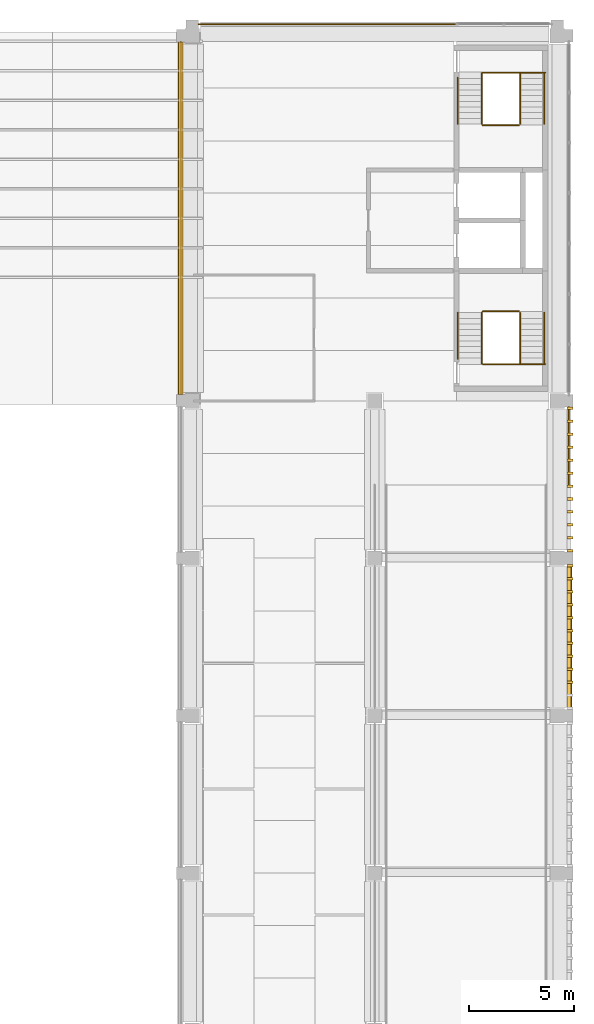
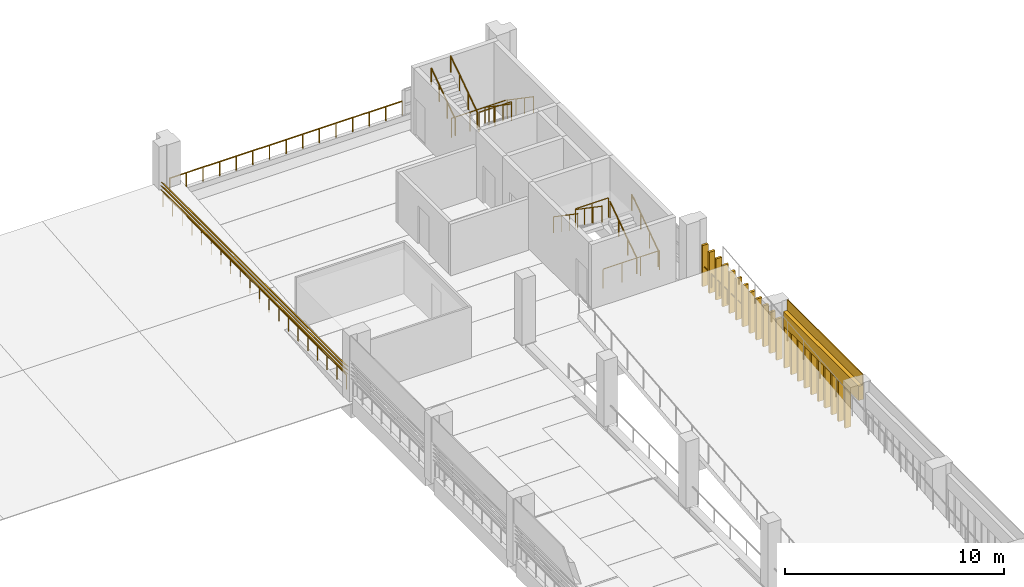
# One storey, part 22 of 24: 23 coverings, 15 railings, 3 shading devices.
"""IFC4 building model written with IfcOpenShell, lengths in metres."""

from ifc_helpers import new_model, si_unit, direction, frame, origin, origin_2d, place, context, subcontext, project, spatial, polyline, circle, outline, extrude, material, layer, layer_set, type_object, element, save


model = new_model("IFC4")

# Units and contexts
model_context = context("Model", 3, precision=1e-05, world=origin(), true_north=direction((0.0, 1.0)))
body_context = subcontext(model_context, "Body", "Model", "MODEL_VIEW")
ifc_project = project(units=[si_unit("LENGTHUNIT", "METRE"), si_unit("AREAUNIT", "SQUARE_METRE"), si_unit("VOLUMEUNIT", "CUBIC_METRE"), si_unit("PLANEANGLEUNIT", "RADIAN"), si_unit("MASSUNIT", "GRAM", prefix="KILO")], contexts=[model_context])

# Site, building, storey
site_placement = place(None, origin())
site = spatial("IfcSite", under=ifc_project, at=site_placement, CompositionType="ELEMENT")
building_placement = place(site_placement, origin())
building = spatial("IfcBuilding", under=site, at=building_placement, Name="Cour d'Honneur Mobility Palace", CompositionType="ELEMENT")
storey_placement = place(building_placement, frame((0.0, 0.0, 26.699951171875)))
storey = spatial("IfcBuildingStorey", under=building, at=storey_placement, Name="L07", CompositionType="ELEMENT", Elevation=26.699951171875)

# Railings
ifc_material_1 = material(Name="Painted steel", Category="steel")
railing_type_1 = type_object("IfcRailingType", Name="Balustrade", PredefinedType="BALUSTRADE", material=ifc_material_1)
railing_1_placement = place(storey_placement, frame((162.85009765625, 41.0, 0.300048828125)))
element("IfcRailing", 1, at=railing_1_placement, inside=storey, type_object=railing_type_1, Name="Balustrade BAL-379", PredefinedType="BALUSTRADE", context=body_context, shape_type="SweptSolid", body=[
    extrude(circle(Radius=0.02392578125, at=origin_2d()), frame((0.0, 0.0, 0.77587890625), z_axis=(0.0, 1.0, 0.0), x_axis=(-1.0, 0.0, 0.0)), (0.0, 0.0, 1.0), 3.699951171875),
    extrude(circle(Radius=0.02099609375, at=origin_2d()), origin(), (0.0, 0.0, 1.0), 0.751953125),
    extrude(circle(Radius=0.02099609375, at=origin_2d()), frame((0.0, 0.739990234375, 0.0)), (0.0, 0.0, 1.0), 0.751953125),
    extrude(circle(Radius=0.02099609375, at=origin_2d()), frame((0.0, 1.47998046875, 0.0)), (0.0, 0.0, 1.0), 0.751953125),
    extrude(circle(Radius=0.02099609375, at=origin_2d()), frame((0.0, 2.219970703125, 0.0)), (0.0, 0.0, 1.0), 0.751953125),
    extrude(circle(Radius=0.02099609375, at=origin_2d()), frame((0.0, 2.9599609375, 0.0)), (0.0, 0.0, 1.0), 0.751953125),
    extrude(circle(Radius=0.02099609375, at=origin_2d()), frame((0.0, 3.699951171875, 0.0)), (0.0, 0.0, 1.0), 0.751953125),
])
railing_2_placement = place(storey_placement, frame((157.5, 62.949951171875, 0.300048828125)))
element("IfcRailing", 2, at=railing_2_placement, inside=storey, type_object=railing_type_1, Name="Balustrade BAL-380", PredefinedType="BALUSTRADE", context=body_context, shape_type="SweptSolid", body=[
    extrude(circle(Radius=0.02392578125, at=origin_2d()), frame((0.0, 0.0, 0.77587890625), z_axis=(-1.0, 0.0, 0.0), x_axis=(0.0, -1.0, 0.0)), (0.0, 0.0, 1.0), 12.300048828125),
    extrude(circle(Radius=0.02099609375, at=origin_2d()), origin(), (0.0, 0.0, 1.0), 0.751953125),
    extrude(circle(Radius=0.02099609375, at=origin_2d()), frame((-0.878662109375, 0.0, 0.0)), (0.0, 0.0, 1.0), 0.751953125),
    extrude(circle(Radius=0.02099609375, at=origin_2d()), frame((-1.757080078125, 0.0, 0.0)), (0.0, 0.0, 1.0), 0.751953125),
    extrude(circle(Radius=0.02099609375, at=origin_2d()), frame((-2.6357421875, 0.0, 0.0)), (0.0, 0.0, 1.0), 0.751953125),
    extrude(circle(Radius=0.02099609375, at=origin_2d()), frame((-3.514404296875, 0.0, 0.0)), (0.0, 0.0, 1.0), 0.751953125),
    extrude(circle(Radius=0.02099609375, at=origin_2d()), frame((-4.392822265625, 0.0, 0.0)), (0.0, 0.0, 1.0), 0.751953125),
    extrude(circle(Radius=0.02099609375, at=origin_2d()), frame((-5.271484375, 0.0, 0.0)), (0.0, 0.0, 1.0), 0.751953125),
    extrude(circle(Radius=0.02099609375, at=origin_2d()), frame((-6.14990234375, 0.0, 0.0)), (0.0, 0.0, 1.0), 0.751953125),
    extrude(circle(Radius=0.02099609375, at=origin_2d()), frame((-7.028564453125, 0.0, 0.0)), (0.0, 0.0, 1.0), 0.751953125),
    extrude(circle(Radius=0.02099609375, at=origin_2d()), frame((-7.9072265625, 0.0, 0.0)), (0.0, 0.0, 1.0), 0.751953125),
    extrude(circle(Radius=0.02099609375, at=origin_2d()), frame((-8.78564453125, 0.0, 0.0)), (0.0, 0.0, 1.0), 0.751953125),
    extrude(circle(Radius=0.02099609375, at=origin_2d()), frame((-9.664306640625, 0.0, 0.0)), (0.0, 0.0, 1.0), 0.751953125),
    extrude(circle(Radius=0.02099609375, at=origin_2d()), frame((-10.54296875, 0.0, 0.0)), (0.0, 0.0, 1.0), 0.751953125),
    extrude(circle(Radius=0.02099609375, at=origin_2d()), frame((-11.42138671875, 0.0, 0.0)), (0.0, 0.0, 1.0), 0.751953125),
    extrude(circle(Radius=0.02099609375, at=origin_2d()), frame((-12.300048828125, 0.0, 0.0)), (0.0, 0.0, 1.0), 0.751953125),
])
railing_3_placement = place(storey_placement, frame((144.35009765625, 62.10009765625, 0.300048828125)))
element("IfcRailing", 3, at=railing_3_placement, inside=storey, type_object=railing_type_1, Name="Balustrade BAL-381", PredefinedType="BALUSTRADE", context=body_context, shape_type="SweptSolid", body=[
    extrude(circle(Radius=0.02392578125, at=origin_2d()), frame((0.0, 0.0, 0.77587890625), z_axis=(0.0, -1.0, 0.0), x_axis=(1.0, 0.0, 0.0)), (0.0, 0.0, 1.0), 16.800048828125),
    extrude(circle(Radius=0.02099609375, at=origin_2d()), origin(), (0.0, 0.0, 1.0), 0.751953125),
    extrude(circle(Radius=0.02099609375, at=origin_2d()), frame((0.0, -0.88427734375, 0.0)), (0.0, 0.0, 1.0), 0.751953125),
    extrude(circle(Radius=0.02099609375, at=origin_2d()), frame((0.0, -1.768310546875, 0.0)), (0.0, 0.0, 1.0), 0.751953125),
    extrude(circle(Radius=0.02099609375, at=origin_2d()), frame((0.0, -2.652587890625, 0.0)), (0.0, 0.0, 1.0), 0.751953125),
    extrude(circle(Radius=0.02099609375, at=origin_2d()), frame((0.0, -3.536865234375, 0.0)), (0.0, 0.0, 1.0), 0.751953125),
    extrude(circle(Radius=0.02099609375, at=origin_2d()), frame((0.0, -4.421142578125, 0.0)), (0.0, 0.0, 1.0), 0.751953125),
    extrude(circle(Radius=0.02099609375, at=origin_2d()), frame((0.0, -5.30517578125, 0.0)), (0.0, 0.0, 1.0), 0.751953125),
    extrude(circle(Radius=0.02099609375, at=origin_2d()), frame((0.0, -6.189453125, 0.0)), (0.0, 0.0, 1.0), 0.751953125),
    extrude(circle(Radius=0.02099609375, at=origin_2d()), frame((0.0, -7.07373046875, 0.0)), (0.0, 0.0, 1.0), 0.751953125),
    extrude(circle(Radius=0.02099609375, at=origin_2d()), frame((0.0, -7.9580078125, 0.0)), (0.0, 0.0, 1.0), 0.751953125),
    extrude(circle(Radius=0.02099609375, at=origin_2d()), frame((0.0, -8.842041015625, 0.0)), (0.0, 0.0, 1.0), 0.751953125),
    extrude(circle(Radius=0.02099609375, at=origin_2d()), frame((0.0, -9.726318359375, 0.0)), (0.0, 0.0, 1.0), 0.751953125),
    extrude(circle(Radius=0.02099609375, at=origin_2d()), frame((0.0, -10.610595703125, 0.0)), (0.0, 0.0, 1.0), 0.751953125),
    extrude(circle(Radius=0.02099609375, at=origin_2d()), frame((0.0, -11.494873046875, 0.0)), (0.0, 0.0, 1.0), 0.751953125),
    extrude(circle(Radius=0.02099609375, at=origin_2d()), frame((0.0, -12.37890625, 0.0)), (0.0, 0.0, 1.0), 0.751953125),
    extrude(circle(Radius=0.02099609375, at=origin_2d()), frame((0.0, -13.26318359375, 0.0)), (0.0, 0.0, 1.0), 0.751953125),
    extrude(circle(Radius=0.02099609375, at=origin_2d()), frame((0.0, -14.1474609375, 0.0)), (0.0, 0.0, 1.0), 0.751953125),
    extrude(circle(Radius=0.02099609375, at=origin_2d()), frame((0.0, -15.03173828125, 0.0)), (0.0, 0.0, 1.0), 0.751953125),
    extrude(circle(Radius=0.02099609375, at=origin_2d()), frame((0.0, -15.915771484375, 0.0)), (0.0, 0.0, 1.0), 0.751953125),
    extrude(circle(Radius=0.02099609375, at=origin_2d()), frame((0.0, -16.800048828125, 0.0)), (0.0, 0.0, 1.0), 0.751953125),
])
ifc_material_2 = material(Name="Painted steel", Category="steel")
railing_type_2 = type_object("IfcRailingType", Name="Guardrail 1100", PredefinedType="GUARDRAIL", material=ifc_material_2)
railing_4_placement = place(storey_placement, frame((158.75, 46.7548828125, 0.0)))
element("IfcRailing", 4, at=railing_4_placement, inside=storey, type_object=railing_type_2, Name="Guard ST-CE1", PredefinedType="GUARDRAIL", context=body_context, shape_type="SweptSolid", body=[
    extrude(circle(Radius=0.02490234375, at=origin_2d()), frame((0.0, 0.0, 1.0751953125), z_axis=(1.0, 0.0, 0.0), x_axis=(0.0, 1.0, 0.0)), (0.0, 0.0, 1.0), 2.97509765625),
    extrude(circle(Radius=0.02099609375, at=origin_2d()), origin(), (0.0, 0.0, 1.0), 1.050048828125),
    extrude(circle(Radius=0.02099609375, at=origin_2d()), frame((0.99169921875, 0.0, 0.0)), (0.0, 0.0, 1.0), 1.050048828125),
    extrude(circle(Radius=0.02099609375, at=origin_2d()), frame((1.9833984375, 0.0, 0.0)), (0.0, 0.0, 1.0), 1.050048828125),
    extrude(circle(Radius=0.02099609375, at=origin_2d()), frame((2.97509765625, 0.0, 0.0)), (0.0, 0.0, 1.0), 1.050048828125),
])
railing_5_placement = place(storey_placement, frame((158.75, 49.264892578125, 1.85009765625)))
element("IfcRailing", 5, at=railing_5_placement, inside=storey, type_object=railing_type_2, Name="Landing guard ST-CE1", PredefinedType="GUARDRAIL", context=body_context, shape_type="SweptSolid", body=[
    extrude(circle(Radius=0.02490234375, at=origin_2d()), frame((0.0, 0.0, 1.0751953125), z_axis=(1.0, 0.0, 0.0), x_axis=(0.0, 1.0, 0.0)), (0.0, 0.0, 1.0), 1.72509765625),
    extrude(circle(Radius=0.02099609375, at=origin_2d()), origin(), (0.0, 0.0, 1.0), 1.050048828125),
    extrude(circle(Radius=0.02099609375, at=origin_2d()), frame((0.862548828125, 0.0, 0.0)), (0.0, 0.0, 1.0), 1.050048828125),
    extrude(circle(Radius=0.02099609375, at=origin_2d()), frame((1.72509765625, 0.0, 0.0)), (0.0, 0.0, 1.0), 1.050048828125),
])
railing_6_placement = place(storey_placement, frame((158.75, 60.64501953125, 0.0)))
element("IfcRailing", 6, at=railing_6_placement, inside=storey, type_object=railing_type_2, Name="Guard ST-CE2", PredefinedType="GUARDRAIL", context=body_context, shape_type="SweptSolid", body=[
    extrude(circle(Radius=0.02490234375, at=origin_2d()), frame((0.0, 0.0, 1.0751953125), z_axis=(1.0, 0.0, 0.0), x_axis=(0.0, 1.0, 0.0)), (0.0, 0.0, 1.0), 2.97509765625),
    extrude(circle(Radius=0.02099609375, at=origin_2d()), origin(), (0.0, 0.0, 1.0), 1.050048828125),
    extrude(circle(Radius=0.02099609375, at=origin_2d()), frame((0.99169921875, 0.0, 0.0)), (0.0, 0.0, 1.0), 1.050048828125),
    extrude(circle(Radius=0.02099609375, at=origin_2d()), frame((1.9833984375, 0.0, 0.0)), (0.0, 0.0, 1.0), 1.050048828125),
    extrude(circle(Radius=0.02099609375, at=origin_2d()), frame((2.97509765625, 0.0, 0.0)), (0.0, 0.0, 1.0), 1.050048828125),
])
railing_7_placement = place(storey_placement, frame((158.75, 58.135009765625, 1.85009765625)))
element("IfcRailing", 7, at=railing_7_placement, inside=storey, type_object=railing_type_2, Name="Landing guard ST-CE2", PredefinedType="GUARDRAIL", context=body_context, shape_type="SweptSolid", body=[
    extrude(circle(Radius=0.02490234375, at=origin_2d()), frame((0.0, 0.0, 1.0751953125), z_axis=(1.0, 0.0, 0.0), x_axis=(0.0, 1.0, 0.0)), (0.0, 0.0, 1.0), 1.72509765625),
    extrude(circle(Radius=0.02099609375, at=origin_2d()), origin(), (0.0, 0.0, 1.0), 1.050048828125),
    extrude(circle(Radius=0.02099609375, at=origin_2d()), frame((0.862548828125, 0.0, 0.0)), (0.0, 0.0, 1.0), 1.050048828125),
    extrude(circle(Radius=0.02099609375, at=origin_2d()), frame((1.72509765625, 0.0, 0.0)), (0.0, 0.0, 1.0), 1.050048828125),
])
ifc_material_3 = material(Name="Stainless steel", Category="steel")
railing_type_3 = type_object("IfcRailingType", Name="Handrail round 50", PredefinedType="HANDRAIL", material=ifc_material_3)
for number, where, name in (
    (8, (161.675048828125, 46.77490234375, 0.18505859375), "Handrail ST-CE1"),
    (9, (160.52490234375, 46.77490234375, 0.18505859375), "Handrail ST-CE1"),
):
    element("IfcRailing", number, at=place(storey_placement, frame(where)), inside=storey, type_object=railing_type_3, Name=name, PredefinedType="HANDRAIL", context=body_context, shape_type="SweptSolid", body=[
        extrude(circle(Radius=0.02490234375, at=origin_2d()), frame((0.0, 0.0, 0.89501953125), z_axis=(0.0, 0.824945253146, 0.565212640793), x_axis=(-1.0, 0.0, 0.0)), (0.0, 0.0, 1.0), 2.94580078125),
        extrude(circle(Radius=0.02099609375, at=origin_2d()), origin(), (0.0, 0.0, 1.0), 0.869873046875),
        extrude(circle(Radius=0.02099609375, at=origin_2d()), frame((0.0, 0.81005859375, 0.554931640625)), (0.0, 0.0, 1.0), 0.869873046875),
        extrude(circle(Radius=0.02099609375, at=origin_2d()), frame((0.0, 1.6201171875, 1.110107421875)), (0.0, 0.0, 1.0), 0.869873046875),
        extrude(circle(Radius=0.02099609375, at=origin_2d()), frame((0.0, 2.43017578125, 1.6650390625)), (0.0, 0.0, 1.0), 0.869873046875),
    ])
railing_8_placement = place(storey_placement, frame((158.699951171875, 49.205078125, 2.03515625)))
element("IfcRailing", 10, at=railing_8_placement, inside=storey, type_object=railing_type_3, Name="Handrail ST-CE1", PredefinedType="HANDRAIL", context=body_context, shape_type="SweptSolid", body=[
    extrude(circle(Radius=0.02490234375, at=origin_2d()), frame((0.0, 0.0, 0.89501953125), z_axis=(0.0, -0.824983895463, 0.565156237006), x_axis=(1.0, 0.0, 0.0)), (0.0, 0.0, 1.0), 2.94580078125),
    extrude(circle(Radius=0.02099609375, at=origin_2d()), origin(), (0.0, 0.0, 1.0), 0.869873046875),
    extrude(circle(Radius=0.02099609375, at=origin_2d()), frame((0.0, -0.81005859375, 0.554931640625)), (0.0, 0.0, 1.0), 0.869873046875),
    extrude(circle(Radius=0.02099609375, at=origin_2d()), frame((0.0, -1.6201171875, 1.10986328125)), (0.0, 0.0, 1.0), 0.869873046875),
    extrude(circle(Radius=0.02099609375, at=origin_2d()), frame((0.0, -2.43017578125, 1.664794921875)), (0.0, 0.0, 1.0), 0.869873046875),
])
railing_9_placement = place(storey_placement, frame((157.550048828125, 49.205078125, 2.03515625)))
element("IfcRailing", 11, at=railing_9_placement, inside=storey, type_object=railing_type_3, Name="Handrail ST-CE1", PredefinedType="HANDRAIL", context=body_context, shape_type="SweptSolid", body=[
    extrude(circle(Radius=0.02490234375, at=origin_2d()), frame((0.0, 0.0, 0.89501953125), z_axis=(0.0, -0.824957609129, 0.565194606432), x_axis=(1.0, 0.0, 0.0)), (0.0, 0.0, 1.0), 2.6728515625),
    extrude(circle(Radius=0.02099609375, at=origin_2d()), origin(), (0.0, 0.0, 1.0), 0.869873046875),
    extrude(circle(Radius=0.02099609375, at=origin_2d()), frame((0.0, -0.735107421875, 0.503662109375)), (0.0, 0.0, 1.0), 0.869873046875),
    extrude(circle(Radius=0.02099609375, at=origin_2d()), frame((0.0, -1.469970703125, 1.007080078125)), (0.0, 0.0, 1.0), 0.869873046875),
    extrude(circle(Radius=0.02099609375, at=origin_2d()), frame((0.0, -2.205078125, 1.5107421875)), (0.0, 0.0, 1.0), 0.869873046875),
])
for number, where, name in (
    (12, (161.675048828125, 60.625, 0.18505859375), "Handrail ST-CE2"),
    (13, (160.52490234375, 60.625, 0.18505859375), "Handrail ST-CE2"),
):
    element("IfcRailing", number, at=place(storey_placement, frame(where)), inside=storey, type_object=railing_type_3, Name=name, PredefinedType="HANDRAIL", context=body_context, shape_type="SweptSolid", body=[
        extrude(circle(Radius=0.02490234375, at=origin_2d()), frame((0.0, 0.0, 0.89501953125), z_axis=(0.0, -0.8249187745, 0.56525128525), x_axis=(1.0, 0.0, 0.0)), (0.0, 0.0, 1.0), 2.945556640625),
        extrude(circle(Radius=0.02099609375, at=origin_2d()), origin(), (0.0, 0.0, 1.0), 0.869873046875),
        extrude(circle(Radius=0.02099609375, at=origin_2d()), frame((0.0, -0.81005859375, 0.554931640625)), (0.0, 0.0, 1.0), 0.869873046875),
        extrude(circle(Radius=0.02099609375, at=origin_2d()), frame((0.0, -1.619873046875, 1.110107421875)), (0.0, 0.0, 1.0), 0.869873046875),
        extrude(circle(Radius=0.02099609375, at=origin_2d()), frame((0.0, -2.429931640625, 1.6650390625)), (0.0, 0.0, 1.0), 0.869873046875),
    ])
railing_10_placement = place(storey_placement, frame((158.699951171875, 58.195068359375, 2.03515625)))
element("IfcRailing", 14, at=railing_10_placement, inside=storey, type_object=railing_type_3, Name="Handrail ST-CE2", PredefinedType="HANDRAIL", context=body_context, shape_type="SweptSolid", body=[
    extrude(circle(Radius=0.02490234375, at=origin_2d()), frame((0.0, 0.0, 0.89501953125), z_axis=(0.0, 0.824957420862, 0.565194881227), x_axis=(-1.0, 0.0, 0.0)), (0.0, 0.0, 1.0), 2.945556640625),
    extrude(circle(Radius=0.02099609375, at=origin_2d()), origin(), (0.0, 0.0, 1.0), 0.869873046875),
    extrude(circle(Radius=0.02099609375, at=origin_2d()), frame((0.0, 0.81005859375, 0.554931640625)), (0.0, 0.0, 1.0), 0.869873046875),
    extrude(circle(Radius=0.02099609375, at=origin_2d()), frame((0.0, 1.619873046875, 1.10986328125)), (0.0, 0.0, 1.0), 0.869873046875),
    extrude(circle(Radius=0.02099609375, at=origin_2d()), frame((0.0, 2.429931640625, 1.664794921875)), (0.0, 0.0, 1.0), 0.869873046875),
])
railing_11_placement = place(storey_placement, frame((157.550048828125, 58.195068359375, 2.03515625)))
element("IfcRailing", 15, at=railing_11_placement, inside=storey, type_object=railing_type_3, Name="Handrail ST-CE2", PredefinedType="HANDRAIL", context=body_context, shape_type="SweptSolid", body=[
    extrude(circle(Radius=0.02490234375, at=origin_2d()), frame((0.0, 0.0, 0.89501953125), z_axis=(0.0, 0.824928428624, 0.565237195917), x_axis=(-1.0, 0.0, 0.0)), (0.0, 0.0, 1.0), 2.6728515625),
    extrude(circle(Radius=0.02099609375, at=origin_2d()), origin(), (0.0, 0.0, 1.0), 0.869873046875),
    extrude(circle(Radius=0.02099609375, at=origin_2d()), frame((0.0, 0.73486328125, 0.503662109375)), (0.0, 0.0, 1.0), 0.869873046875),
    extrude(circle(Radius=0.02099609375, at=origin_2d()), frame((0.0, 1.469970703125, 1.007080078125)), (0.0, 0.0, 1.0), 0.869873046875),
    extrude(circle(Radius=0.02099609375, at=origin_2d()), frame((0.0, 2.204833984375, 1.5107421875)), (0.0, 0.0, 1.0), 0.869873046875),
])

# Coverings
ifc_material_4 = material(Name="Cast limestone", Category="masonry")
ifc_layer_1 = layer(ifc_material_4, 0.1201171875)
ifc_layer_set_1 = layer_set([ifc_layer_1], Name="Cast limestone")
covering_type_1 = type_object("IfcCoveringType", Name="Ramp screen fin", PredefinedType="CLADDING", material=ifc_layer_set_1)
covering_1_placement = place(storey_placement, origin())
element("IfcCovering", 16, at=covering_1_placement, inside=storey, type_object=covering_type_1, Name="Ramp screen fin E5.4 L07 3", PredefinedType="CLADDING", context=body_context, shape_type="SweptSolid", body=[
    extrude(outline(polyline([(162.75, 31.53271484375), (162.75, 31.65283203125), (163.050048828125, 31.65283203125), (163.050048828125, 31.53271484375), (162.75, 31.53271484375)])), origin(), (0.0, 0.0, 1.0), 2.300048828125),
])
covering_2_placement = place(storey_placement, origin())
element("IfcCovering", 17, at=covering_2_placement, inside=storey, type_object=covering_type_1, Name="Ramp screen fin E5.4 L07 4", PredefinedType="CLADDING", context=body_context, shape_type="SweptSolid", body=[
    extrude(outline(polyline([(162.75, 32.149169921875), (162.75, 32.26904296875), (163.050048828125, 32.26904296875), (163.050048828125, 32.149169921875), (162.75, 32.149169921875)])), origin(), (0.0, 0.0, 1.0), 2.300048828125),
])
covering_3_placement = place(storey_placement, origin())
element("IfcCovering", 18, at=covering_3_placement, inside=storey, type_object=covering_type_1, Name="Ramp screen fin E5.4 L07 5", PredefinedType="CLADDING", context=body_context, shape_type="SweptSolid", body=[
    extrude(outline(polyline([(162.75, 32.765380859375), (162.75, 32.885498046875), (163.050048828125, 32.885498046875), (163.050048828125, 32.765380859375), (162.75, 32.765380859375)])), origin(), (0.0, 0.0, 1.0), 2.300048828125),
])
covering_4_placement = place(storey_placement, origin())
element("IfcCovering", 19, at=covering_4_placement, inside=storey, type_object=covering_type_1, Name="Ramp screen fin E5.4 L07 6", PredefinedType="CLADDING", context=body_context, shape_type="SweptSolid", body=[
    extrude(outline(polyline([(162.75, 33.3818359375), (162.75, 33.501708984375), (163.050048828125, 33.501708984375), (163.050048828125, 33.3818359375), (162.75, 33.3818359375)])), origin(), (0.0, 0.0, 1.0), 2.300048828125),
])
covering_5_placement = place(storey_placement, origin())
element("IfcCovering", 20, at=covering_5_placement, inside=storey, type_object=covering_type_1, Name="Ramp screen fin E5.4 L07 7", PredefinedType="CLADDING", context=body_context, shape_type="SweptSolid", body=[
    extrude(outline(polyline([(162.75, 33.998291015625), (162.75, 34.1181640625), (163.050048828125, 34.1181640625), (163.050048828125, 33.998291015625), (162.75, 33.998291015625)])), origin(), (0.0, 0.0, 1.0), 2.300048828125),
])
covering_6_placement = place(storey_placement, origin())
element("IfcCovering", 21, at=covering_6_placement, inside=storey, type_object=covering_type_1, Name="Ramp screen fin E5.4 L07 8", PredefinedType="CLADDING", context=body_context, shape_type="SweptSolid", body=[
    extrude(outline(polyline([(162.75, 34.614501953125), (162.75, 34.734619140625), (163.050048828125, 34.734619140625), (163.050048828125, 34.614501953125), (162.75, 34.614501953125)])), origin(), (0.0, 0.0, 1.0), 2.300048828125),
])
covering_7_placement = place(storey_placement, origin())
element("IfcCovering", 22, at=covering_7_placement, inside=storey, type_object=covering_type_1, Name="Ramp screen fin E5.4 L07 9", PredefinedType="CLADDING", context=body_context, shape_type="SweptSolid", body=[
    extrude(outline(polyline([(162.75, 35.23095703125), (162.75, 35.350830078125), (163.050048828125, 35.350830078125), (163.050048828125, 35.23095703125), (162.75, 35.23095703125)])), origin(), (0.0, 0.0, 1.0), 2.300048828125),
])
covering_8_placement = place(storey_placement, origin())
element("IfcCovering", 23, at=covering_8_placement, inside=storey, type_object=covering_type_1, Name="Ramp screen fin E5.4 L07 10", PredefinedType="CLADDING", context=body_context, shape_type="SweptSolid", body=[
    extrude(outline(polyline([(162.75, 35.84716796875), (162.75, 35.96728515625), (163.050048828125, 35.96728515625), (163.050048828125, 35.84716796875), (162.75, 35.84716796875)])), origin(), (0.0, 0.0, 1.0), 2.300048828125),
])
covering_9_placement = place(storey_placement, origin())
element("IfcCovering", 24, at=covering_9_placement, inside=storey, type_object=covering_type_1, Name="Ramp screen fin E5.4 L07 11", PredefinedType="CLADDING", context=body_context, shape_type="SweptSolid", body=[
    extrude(outline(polyline([(162.75, 36.463623046875), (162.75, 36.583740234375), (163.050048828125, 36.583740234375), (163.050048828125, 36.463623046875), (162.75, 36.463623046875)])), origin(), (0.0, 0.0, 1.0), 2.300048828125),
])
covering_10_placement = place(storey_placement, origin())
element("IfcCovering", 25, at=covering_10_placement, inside=storey, type_object=covering_type_1, Name="Ramp screen fin E5.4 L07 12", PredefinedType="CLADDING", context=body_context, shape_type="SweptSolid", body=[
    extrude(outline(polyline([(162.75, 37.080078125), (162.75, 37.199951171875), (163.050048828125, 37.199951171875), (163.050048828125, 37.080078125), (162.75, 37.080078125)])), origin(), (0.0, 0.0, 1.0), 2.300048828125),
])
covering_11_placement = place(storey_placement, origin())
element("IfcCovering", 26, at=covering_11_placement, inside=storey, type_object=covering_type_1, Name="Ramp screen fin E5.5 L07 1", PredefinedType="CLADDING", context=body_context, shape_type="SweptSolid", body=[
    extrude(outline(polyline([(162.75, 37.800048828125), (162.75, 37.919921875), (163.050048828125, 37.919921875), (163.050048828125, 37.800048828125), (162.75, 37.800048828125)])), origin(), (0.0, 0.0, 1.0), 2.300048828125),
])
covering_12_placement = place(storey_placement, origin())
element("IfcCovering", 27, at=covering_12_placement, inside=storey, type_object=covering_type_1, Name="Ramp screen fin E5.5 L07 2", PredefinedType="CLADDING", context=body_context, shape_type="SweptSolid", body=[
    extrude(outline(polyline([(162.75, 38.416259765625), (162.75, 38.536376953125), (163.050048828125, 38.536376953125), (163.050048828125, 38.416259765625), (162.75, 38.416259765625)])), origin(), (0.0, 0.0, 1.0), 2.300048828125),
])
covering_13_placement = place(storey_placement, origin())
element("IfcCovering", 28, at=covering_13_placement, inside=storey, type_object=covering_type_1, Name="Ramp screen fin E5.5 L07 3", PredefinedType="CLADDING", context=body_context, shape_type="SweptSolid", body=[
    extrude(outline(polyline([(162.75, 39.03271484375), (162.75, 39.15283203125), (163.050048828125, 39.15283203125), (163.050048828125, 39.03271484375), (162.75, 39.03271484375)])), origin(), (0.0, 0.0, 1.0), 2.300048828125),
])
covering_14_placement = place(storey_placement, origin())
element("IfcCovering", 29, at=covering_14_placement, inside=storey, type_object=covering_type_1, Name="Ramp screen fin E5.5 L07 4", PredefinedType="CLADDING", context=body_context, shape_type="SweptSolid", body=[
    extrude(outline(polyline([(162.75, 39.649169921875), (162.75, 39.76904296875), (163.050048828125, 39.76904296875), (163.050048828125, 39.649169921875), (162.75, 39.649169921875)])), origin(), (0.0, 0.0, 1.0), 2.300048828125),
])
covering_15_placement = place(storey_placement, origin())
element("IfcCovering", 30, at=covering_15_placement, inside=storey, type_object=covering_type_1, Name="Ramp screen fin E5.5 L07 5", PredefinedType="CLADDING", context=body_context, shape_type="SweptSolid", body=[
    extrude(outline(polyline([(162.75, 40.265380859375), (162.75, 40.385498046875), (163.050048828125, 40.385498046875), (163.050048828125, 40.265380859375), (162.75, 40.265380859375)])), origin(), (0.0, 0.0, 1.0), 2.300048828125),
])
covering_16_placement = place(storey_placement, origin())
element("IfcCovering", 31, at=covering_16_placement, inside=storey, type_object=covering_type_1, Name="Ramp screen fin E5.5 L07 6", PredefinedType="CLADDING", context=body_context, shape_type="SweptSolid", body=[
    extrude(outline(polyline([(162.75, 40.8818359375), (162.75, 41.001708984375), (163.050048828125, 41.001708984375), (163.050048828125, 40.8818359375), (162.75, 40.8818359375)])), origin(), (0.0, 0.0, 1.0), 2.300048828125),
])
covering_17_placement = place(storey_placement, origin())
element("IfcCovering", 32, at=covering_17_placement, inside=storey, type_object=covering_type_1, Name="Ramp screen fin E5.5 L07 7", PredefinedType="CLADDING", context=body_context, shape_type="SweptSolid", body=[
    extrude(outline(polyline([(162.75, 41.498291015625), (162.75, 41.6181640625), (163.050048828125, 41.6181640625), (163.050048828125, 41.498291015625), (162.75, 41.498291015625)])), origin(), (0.0, 0.0, 1.0), 2.300048828125),
])
covering_18_placement = place(storey_placement, origin())
element("IfcCovering", 33, at=covering_18_placement, inside=storey, type_object=covering_type_1, Name="Ramp screen fin E5.5 L07 8", PredefinedType="CLADDING", context=body_context, shape_type="SweptSolid", body=[
    extrude(outline(polyline([(162.75, 42.114501953125), (162.75, 42.234619140625), (163.050048828125, 42.234619140625), (163.050048828125, 42.114501953125), (162.75, 42.114501953125)])), origin(), (0.0, 0.0, 1.0), 2.300048828125),
])
covering_19_placement = place(storey_placement, origin())
element("IfcCovering", 34, at=covering_19_placement, inside=storey, type_object=covering_type_1, Name="Ramp screen fin E5.5 L07 9", PredefinedType="CLADDING", context=body_context, shape_type="SweptSolid", body=[
    extrude(outline(polyline([(162.75, 42.73095703125), (162.75, 42.850830078125), (163.050048828125, 42.850830078125), (163.050048828125, 42.73095703125), (162.75, 42.73095703125)])), origin(), (0.0, 0.0, 1.0), 2.300048828125),
])
covering_20_placement = place(storey_placement, origin())
element("IfcCovering", 35, at=covering_20_placement, inside=storey, type_object=covering_type_1, Name="Ramp screen fin E5.5 L07 10", PredefinedType="CLADDING", context=body_context, shape_type="SweptSolid", body=[
    extrude(outline(polyline([(162.75, 43.34716796875), (162.75, 43.46728515625), (163.050048828125, 43.46728515625), (163.050048828125, 43.34716796875), (162.75, 43.34716796875)])), origin(), (0.0, 0.0, 1.0), 2.300048828125),
])
covering_21_placement = place(storey_placement, origin())
element("IfcCovering", 36, at=covering_21_placement, inside=storey, type_object=covering_type_1, Name="Ramp screen fin E5.5 L07 11", PredefinedType="CLADDING", context=body_context, shape_type="SweptSolid", body=[
    extrude(outline(polyline([(162.75, 43.963623046875), (162.75, 44.083740234375), (163.050048828125, 44.083740234375), (163.050048828125, 43.963623046875), (162.75, 43.963623046875)])), origin(), (0.0, 0.0, 1.0), 2.300048828125),
])
covering_22_placement = place(storey_placement, origin())
element("IfcCovering", 37, at=covering_22_placement, inside=storey, type_object=covering_type_1, Name="Ramp screen fin E5.5 L07 12", PredefinedType="CLADDING", context=body_context, shape_type="SweptSolid", body=[
    extrude(outline(polyline([(162.75, 44.580078125), (162.75, 44.699951171875), (163.050048828125, 44.699951171875), (163.050048828125, 44.580078125), (162.75, 44.580078125)])), origin(), (0.0, 0.0, 1.0), 2.300048828125),
])
ifc_material_5 = material(Name="Cast limestone", Category="masonry")
ifc_layer_2 = layer(ifc_material_5, 0.25)
ifc_layer_set_2 = layer_set([ifc_layer_2], Name="Cast limestone")
covering_type_2 = type_object("IfcCoveringType", Name="Spandrel cladding", PredefinedType="CLADDING", material=ifc_layer_set_2)
covering_23_placement = place(storey_placement, frame((162.75, 30.300048828125, 2.300048828125), z_axis=(0.0, -1.0, 0.0), x_axis=(1.0, 0.0, 0.0)))
element("IfcCovering", 38, at=covering_23_placement, inside=storey, type_object=covering_type_2, Name="Spandrel cladding SK-385", PredefinedType="CLADDING", context=body_context, shape_type="SweptSolid", body=[
    extrude(outline(polyline([(0.0, 0.0), (0.25, 0.0), (0.25, 1.39990234375), (0.199951171875, 1.39990234375), (0.199951171875, 0.800048828125), (0.0, 0.800048828125), (0.0, 0.0)])), origin(), (0.0, 0.0, -1.0), 6.89990234375),
])

# Shading devices
ifc_material_6 = material(Name="Terracotta", Category="masonry")
ifc_layer_3 = layer(ifc_material_6, 0.02490234375)
ifc_layer_set_3 = layer_set([ifc_layer_3], Name="Terracotta")
shading_device_type = type_object("IfcShadingDeviceType", Name="Terracotta louvre blade", PredefinedType="JALOUSIE", material=ifc_layer_set_3)
for number, where, z_axis, x_axis, name in (
    (39, (144.4560546875, 62.10009765625, 1.10009765625), (0.707106781187, 0.0, 0.707106781187), (0.0, -1.0, 0.0), "Louvre blade LV-1 W7.0 L07 1"),
    (40, (144.4560546875, 62.10009765625, 1.312255859375), (0.707106781187, 0.0, 0.707106781187), (0.0, -1.0, 0.0), "Louvre blade LV-1 W7.0 L07 2"),
):
    element("IfcShadingDevice", number, at=place(storey_placement, frame(where, z_axis=z_axis, x_axis=x_axis)), inside=storey, type_object=shading_device_type, Name=name, PredefinedType="JALOUSIE", context=body_context, shape_type="SweptSolid", body=[
        extrude(outline(polyline([(0.0, 0.0), (16.800048828125, 0.0), (16.800048828125, -0.30003700822808094), (0.0, -0.30003700822808094), (0.0, 0.0)])), origin(), (0.0, 0.0, -1.0), 0.02490234375),
    ])
shading_device_placement = place(storey_placement, frame((144.4560546875, 62.10009765625, 1.5244140625), z_axis=(0.706699578995, 0.0, 0.707513749017), x_axis=(0.0, -1.0, 0.0)))
element("IfcShadingDevice", 41, at=shading_device_placement, inside=storey, type_object=shading_device_type, Name="Louvre blade LV-1 W7.0 L07 3", PredefinedType="JALOUSIE", context=body_context, shape_type="SweptSolid", body=[
    extrude(outline(polyline([(0.0, 0.0), (16.800048828125, 0.0), (16.800048828125, -0.29986442442957895), (0.0, -0.29986442442957895), (0.0, 0.0)])), origin(), (0.0, 0.0, -1.0), 0.02490234375),
])

save(model, "model.ifc")
